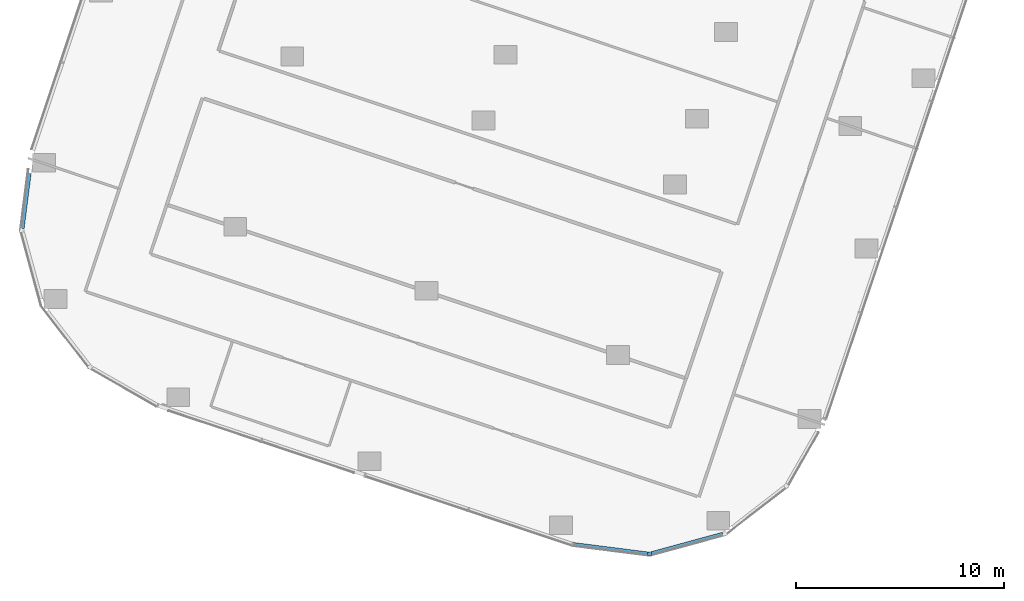
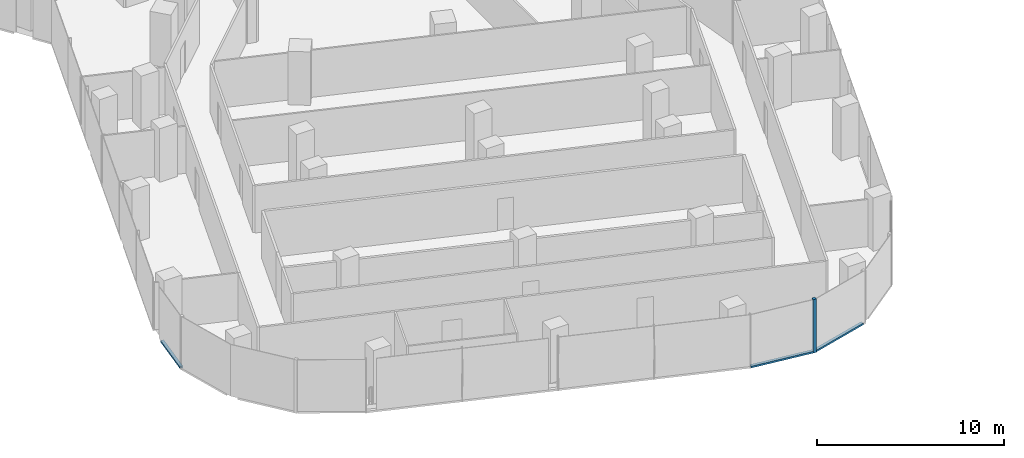
# One storey, part 3 of 32: 4 members, 3 elements without a shape of their own.
"""IFC4 building model written with IfcOpenShell, lengths in metres."""

from ifc_helpers import new_model, si_unit, direction, frame, origin, origin_2d, place, context, subcontext, project, spatial, rectangle, extrude, material, material_profile, profile_set, type_object, element, aggregate, save


model = new_model("IFC4")

# Units and contexts
model_context = context("Model", 3, precision=1e-05, world=origin(), true_north=direction((0.0, 1.0)))
body_context = subcontext(model_context, "Body", "Model", "MODEL_VIEW")
ifc_project = project(units=[si_unit("LENGTHUNIT", "METRE"), si_unit("AREAUNIT", "SQUARE_METRE"), si_unit("VOLUMEUNIT", "CUBIC_METRE"), si_unit("PLANEANGLEUNIT", "RADIAN"), si_unit("MASSUNIT", "GRAM", prefix="KILO")], contexts=[model_context])

# Site, building, storey
site_placement = place(None, origin())
site = spatial("IfcSite", under=ifc_project, at=site_placement, CompositionType="ELEMENT")
building_placement = place(site_placement, origin())
building = spatial("IfcBuilding", under=site, at=building_placement, Name="Orlundy Tower", CompositionType="ELEMENT")
storey_placement = place(building_placement, frame((0.0, 0.0, 149.10009765625)))
storey = spatial("IfcBuildingStorey", under=building, at=storey_placement, Name="L38", CompositionType="ELEMENT", Elevation=149.10009765625)

# Curtain wall, member
ifc_material_1 = material(Name="Aluminium bronze anodised", Category="aluminium")
curtain_wall_type = type_object("IfcCurtainWallType", Name="CW1 wall", PredefinedType="NOTDEFINED", material=ifc_material_1)
curtain_wall_1_placement = place(storey_placement, origin())
curtain_wall_1 = element("IfcCurtainWall", 1, at=curtain_wall_1_placement, inside=storey, type_object=curtain_wall_type, Name="CW1 run 06", PredefinedType="NOTDEFINED")
ifc_material_2 = material(Name="Aluminium bronze anodised", Category="aluminium")
ifc_material_profile_1 = material_profile(ifc_material_2, rectangle(XDim=0.179931640625, YDim=0.179931640625, at=origin_2d()), Name="CW1 corner post 180x180")
ifc_profile_set_1 = profile_set([ifc_material_profile_1], Name="Aluminium bronze anodised")
member_type_1 = type_object("IfcMemberType", Name="CW1 corner post 180x180", PredefinedType="MULLION", material=ifc_profile_set_1)
member_1_placement = place(storey_placement, frame((-5.238525390625, -60.316650390625, -0.400146484375), z_axis=(0.0, 0.0, 1.0), x_axis=(-0.126259106648, -0.99199729737, 0.0)))
member_1 = element("IfcMember", 2, at=member_1_placement, type_object=member_type_1, Name="CW1 mullion 17", PredefinedType="MULLION", context=body_context, shape_type="SweptSolid", body=[
    extrude(rectangle(XDim=0.179931640625, YDim=0.179931640625, at=origin_2d()), origin(), (0.0, 0.0, 1.0), 3.5),
])

curtain_wall_2_placement = place(storey_placement, origin())
curtain_wall_2 = element("IfcCurtainWall", 3, at=curtain_wall_2_placement, inside=storey, type_object=curtain_wall_type, Name="CW1 run 05", PredefinedType="NOTDEFINED")
ifc_material_3 = material(Name="Aluminium bronze anodised", Category="aluminium")
ifc_material_profile_2 = material_profile(ifc_material_3, rectangle(XDim=0.179931640625, YDim=0.1201171875, at=origin_2d()), Name="CW1 transom 180x120")
ifc_profile_set_2 = profile_set([ifc_material_profile_2], Name="Aluminium bronze anodised")
member_type_2 = type_object("IfcMemberType", Name="CW1 transom 180x120", PredefinedType="USERDEFINED", material=ifc_profile_set_2)
member_2_placement = place(storey_placement, frame((-1.71484375, -59.355712890625, -0.340087890625), z_axis=(-0.964768575613, -0.263099972464, 0.0), x_axis=(0.263099972464, -0.964768575613, 0.0)))
member_2 = element("IfcMember", 4, at=member_2_placement, type_object=member_type_2, Name="CW1 transom", ObjectType="TRANSOM", PredefinedType="USERDEFINED", context=body_context, shape_type="SweptSolid", body=[
    extrude(rectangle(XDim=0.179931640625, YDim=0.1201171875, at=origin_2d()), origin(), (0.0, 0.0, 1.0), 3.554931640625),
])
aggregate(curtain_wall_2, [member_2])

# Member
member_3_placement = place(storey_placement, frame((-5.327880859375, -60.30517578125, -0.340087890625), z_axis=(-0.991999294503, 0.126243414502, 0.0), x_axis=(-0.126243414502, -0.991999294503, 0.0)))
member_3 = element("IfcMember", 5, at=member_3_placement, type_object=member_type_2, Name="CW1 transom", ObjectType="TRANSOM", PredefinedType="USERDEFINED", context=body_context, shape_type="SweptSolid", body=[
    extrude(rectangle(XDim=0.179931640625, YDim=0.1201171875, at=origin_2d()), origin(), (0.0, 0.0, 1.0), 3.618408203125),
])

aggregate(curtain_wall_1, [member_1, member_3])

# Curtain wall, member
curtain_wall_3_placement = place(storey_placement, origin())
curtain_wall_3 = element("IfcCurtainWall", 6, at=curtain_wall_3_placement, inside=storey, type_object=curtain_wall_type, Name="CW1 run 011", PredefinedType="NOTDEFINED")
member_4_placement = place(storey_placement, frame((-35.379150390625, -44.6640625, -0.340087890625), z_axis=(0.125999774366, 0.992030270133, 0.0), x_axis=(-0.992030270133, 0.125999774366, 0.0)))
member_4 = element("IfcMember", 7, at=member_4_placement, type_object=member_type_2, Name="CW1 transom", ObjectType="TRANSOM", PredefinedType="USERDEFINED", context=body_context, shape_type="SweptSolid", body=[
    extrude(rectangle(XDim=0.179931640625, YDim=0.1201171875, at=origin_2d()), origin(), (0.0, 0.0, 1.0), 2.660400390625),
])
aggregate(curtain_wall_3, [member_4])

save(model, "model.ifc")
